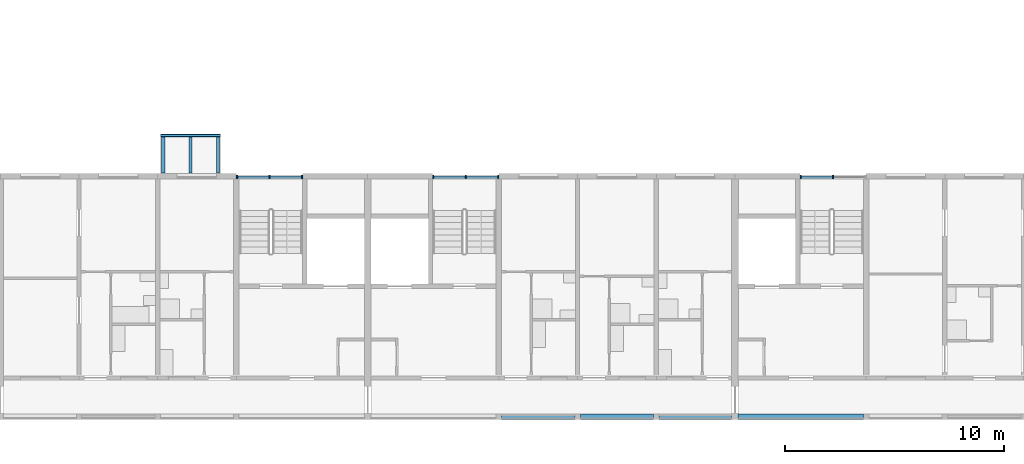
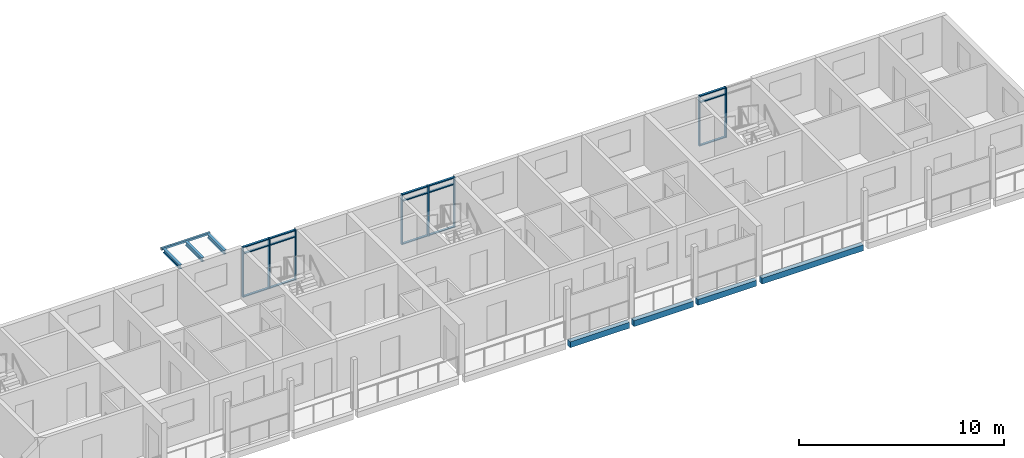
# One storey, part 17 of 78: 23 members, 8 beams, 3 elements without a shape of their own.
"""IFC4 building model written with IfcOpenShell, lengths in metres."""

from ifc_helpers import new_model, si_unit, direction, frame, origin, origin_2d, place, context, subcontext, project, spatial, rectangle, hollow_rectangle, i_section, extrude, material, material_profile, profile_set, type_object, element, aggregate, save


model = new_model("IFC4")

# Units and contexts
model_context = context("Model", 3, precision=1e-05, world=origin(), true_north=direction((0.0, 1.0)))
body_context = subcontext(model_context, "Body", "Model", "MODEL_VIEW")
ifc_project = project(units=[si_unit("LENGTHUNIT", "METRE"), si_unit("AREAUNIT", "SQUARE_METRE"), si_unit("VOLUMEUNIT", "CUBIC_METRE"), si_unit("PLANEANGLEUNIT", "RADIAN"), si_unit("MASSUNIT", "GRAM", prefix="KILO")], contexts=[model_context])

# Site, building, storey
site_placement = place(None, origin())
site = spatial("IfcSite", under=ifc_project, at=site_placement, CompositionType="ELEMENT")
building_placement = place(site_placement, origin())
building = spatial("IfcBuilding", under=site, at=building_placement, Name="Ridgestep Commons", CompositionType="ELEMENT")
storey_placement = place(building_placement, frame((0.0, 0.0, 30.0)))
storey = spatial("IfcBuildingStorey", under=building, at=storey_placement, Name="L10", CompositionType="ELEMENT", Elevation=30.0)

# Beams
ifc_material_1 = material(Name="Precast concrete C40/50", Category="concrete")
ifc_material_profile_1 = material_profile(ifc_material_1, rectangle(XDim=0.25, YDim=0.35009765625, at=origin_2d()), Name="PC 250x350")
ifc_profile_set_1 = profile_set([ifc_material_profile_1], Name="Precast concrete C40/50")
beam_type_1 = type_object("IfcBeamType", Name="Loggia edge beam 250 x 350", PredefinedType="SPANDREL", material=ifc_profile_set_1)
beam_1_placement = place(storey_placement, frame((220.125, 11.875, -0.375), z_axis=(1.0, 0.0, 0.0), x_axis=(0.0, 1.0, 0.0)))
element("IfcBeam", 1, at=beam_1_placement, inside=storey, type_object=beam_type_1, Name="Loggia edge beam D5T3 L10", PredefinedType="SPANDREL", context=body_context, shape_type="SweptSolid", body=[
    extrude(rectangle(XDim=0.25, YDim=0.35009765625, at=origin_2d()), origin(), (0.0, 0.0, 1.0), 3.35009765625),
])
beam_2_placement = place(storey_placement, frame((223.72509765625, 11.875, -0.375), z_axis=(1.0, 0.0, 0.0), x_axis=(0.0, 1.0, 0.0)))
element("IfcBeam", 2, at=beam_2_placement, inside=storey, type_object=beam_type_1, Name="Loggia edge beam D5T2 L10", PredefinedType="SPANDREL", context=body_context, shape_type="SweptSolid", body=[
    extrude(rectangle(XDim=0.25, YDim=0.35009765625, at=origin_2d()), origin(), (0.0, 0.0, 1.0), 3.349853515625),
])
beam_3_placement = place(storey_placement, frame((227.324951171875, 11.875, -0.375), z_axis=(1.0, 0.0, 0.0), x_axis=(0.0, 1.0, 0.0)))
element("IfcBeam", 3, at=beam_3_placement, inside=storey, type_object=beam_type_1, Name="Loggia edge beam D5T1 L10", PredefinedType="SPANDREL", context=body_context, shape_type="SweptSolid", body=[
    extrude(rectangle(XDim=0.25, YDim=0.35009765625, at=origin_2d()), origin(), (0.0, 0.0, 1.0), 3.324951171875),
])
beam_4_placement = place(storey_placement, frame((230.949951171875, 11.875, -0.375), z_axis=(1.0, 0.0, 0.0), x_axis=(0.0, 1.0, 0.0)))
element("IfcBeam", 4, at=beam_4_placement, inside=storey, type_object=beam_type_1, Name="Loggia edge beam D6C L10", PredefinedType="SPANDREL", context=body_context, shape_type="SweptSolid", body=[
    extrude(rectangle(XDim=0.25, YDim=0.35009765625, at=origin_2d()), origin(), (0.0, 0.0, 1.0), 5.72509765625),
])

# Curtain wall, members
ifc_material_2 = material(Name="Aluminium 6063-T6 and glass", Category="aluminium")
curtain_wall_type = type_object("IfcCurtainWallType", Name="Curtain wall stair strip", PredefinedType="NOTDEFINED", material=ifc_material_2)
curtain_wall_1_placement = place(storey_placement, origin())
curtain_wall_1 = element("IfcCurtainWall", 5, at=curtain_wall_1_placement, inside=storey, type_object=curtain_wall_type, Name="Curtain wall D4C level 10", PredefinedType="NOTDEFINED")
ifc_material_3 = material(Name="Aluminium 6063-T6", Category="aluminium")
ifc_material_profile_2 = material_profile(ifc_material_3, rectangle(XDim=0.159912109375, YDim=0.06005859375, at=origin_2d()), Name="Mullion 60 x 160")
ifc_profile_set_2 = profile_set([ifc_material_profile_2], Name="Aluminium 6063-T6")
member_type_1 = type_object("IfcMemberType", Name="Mullion 60 x 160", PredefinedType="MULLION", material=ifc_profile_set_2)
member_1_placement = place(storey_placement, frame((208.030029296875, 22.830078125, 0.0), z_axis=(0.0, 0.0, 1.0), x_axis=(0.0, 1.0, 0.0)))
member_1 = element("IfcMember", 6, at=member_1_placement, type_object=member_type_1, Name="CW1 mullion 1", PredefinedType="MULLION", context=body_context, shape_type="SweptSolid", body=[
    extrude(rectangle(XDim=0.159912109375, YDim=0.06005859375, at=origin_2d()), origin(), (0.0, 0.0, 1.0), 3.0),
])
member_2_placement = place(storey_placement, frame((209.512451171875, 22.830078125, 0.0), z_axis=(0.0, 0.0, 1.0), x_axis=(0.0, 1.0, 0.0)))
member_2 = element("IfcMember", 7, at=member_2_placement, type_object=member_type_1, Name="CW1 mullion 2", PredefinedType="MULLION", context=body_context, shape_type="SweptSolid", body=[
    extrude(rectangle(XDim=0.159912109375, YDim=0.06005859375, at=origin_2d()), origin(), (0.0, 0.0, 1.0), 3.0),
])
member_3_placement = place(storey_placement, frame((210.9951171875, 22.830078125, 0.0), z_axis=(0.0, 0.0, 1.0), x_axis=(0.0, 1.0, 0.0)))
member_3 = element("IfcMember", 8, at=member_3_placement, type_object=member_type_1, Name="CW1 mullion 3", PredefinedType="MULLION", context=body_context, shape_type="SweptSolid", body=[
    extrude(rectangle(XDim=0.159912109375, YDim=0.06005859375, at=origin_2d()), origin(), (0.0, 0.0, 1.0), 3.0),
])

curtain_wall_2_placement = place(storey_placement, origin())
curtain_wall_2 = element("IfcCurtainWall", 9, at=curtain_wall_2_placement, inside=storey, type_object=curtain_wall_type, Name="Curtain wall D5C level 10", PredefinedType="NOTDEFINED")
member_4_placement = place(storey_placement, frame((217.0048828125, 22.830078125, 0.0), z_axis=(0.0, 0.0, 1.0), x_axis=(0.0, 1.0, 0.0)))
member_4 = element("IfcMember", 10, at=member_4_placement, type_object=member_type_1, Name="CW1 mullion 1", PredefinedType="MULLION", context=body_context, shape_type="SweptSolid", body=[
    extrude(rectangle(XDim=0.159912109375, YDim=0.06005859375, at=origin_2d()), origin(), (0.0, 0.0, 1.0), 3.0),
])
member_5_placement = place(storey_placement, frame((218.487548828125, 22.830078125, 0.0), z_axis=(0.0, 0.0, 1.0), x_axis=(0.0, 1.0, 0.0)))
member_5 = element("IfcMember", 11, at=member_5_placement, type_object=member_type_1, Name="CW1 mullion 2", PredefinedType="MULLION", context=body_context, shape_type="SweptSolid", body=[
    extrude(rectangle(XDim=0.159912109375, YDim=0.06005859375, at=origin_2d()), origin(), (0.0, 0.0, 1.0), 3.0),
])
member_6_placement = place(storey_placement, frame((219.969970703125, 22.830078125, 0.0), z_axis=(0.0, 0.0, 1.0), x_axis=(0.0, 1.0, 0.0)))
member_6 = element("IfcMember", 12, at=member_6_placement, type_object=member_type_1, Name="CW1 mullion 3", PredefinedType="MULLION", context=body_context, shape_type="SweptSolid", body=[
    extrude(rectangle(XDim=0.159912109375, YDim=0.06005859375, at=origin_2d()), origin(), (0.0, 0.0, 1.0), 3.0),
])

curtain_wall_3_placement = place(storey_placement, origin())
curtain_wall_3 = element("IfcCurtainWall", 13, at=curtain_wall_3_placement, inside=storey, type_object=curtain_wall_type, Name="Curtain wall D6C level 10", PredefinedType="NOTDEFINED")
member_7_placement = place(storey_placement, frame((233.804931640625, 22.830078125, 0.0), z_axis=(0.0, 0.0, 1.0), x_axis=(0.0, 1.0, 0.0)))
member_7 = element("IfcMember", 14, at=member_7_placement, type_object=member_type_1, Name="CW1 mullion 1", PredefinedType="MULLION", context=body_context, shape_type="SweptSolid", body=[
    extrude(rectangle(XDim=0.159912109375, YDim=0.06005859375, at=origin_2d()), origin(), (0.0, 0.0, 1.0), 3.0),
])
member_8_placement = place(storey_placement, frame((235.28759765625, 22.830078125, 0.0), z_axis=(0.0, 0.0, 1.0), x_axis=(0.0, 1.0, 0.0)))
member_8 = element("IfcMember", 15, at=member_8_placement, type_object=member_type_1, Name="CW1 mullion 2", PredefinedType="MULLION", context=body_context, shape_type="SweptSolid", body=[
    extrude(rectangle(XDim=0.159912109375, YDim=0.06005859375, at=origin_2d()), origin(), (0.0, 0.0, 1.0), 3.0),
])

# Member
ifc_material_4 = material(Name="Aluminium 6063-T6", Category="aluminium")
ifc_material_profile_3 = material_profile(ifc_material_4, rectangle(XDim=0.1201171875, YDim=0.06005859375, at=origin_2d()), Name="Transom 60 x 120")
ifc_profile_set_3 = profile_set([ifc_material_profile_3], Name="Aluminium 6063-T6")
member_type_2 = type_object("IfcMemberType", Name="Transom 60 x 120", PredefinedType="USERDEFINED", material=ifc_profile_set_3)
member_9_placement = place(storey_placement, frame((208.06005859375, 22.830078125, 0.030029296875), z_axis=(1.0, 0.0, 0.0), x_axis=(0.0, 1.0, 0.0)))
member_9 = element("IfcMember", 16, at=member_9_placement, type_object=member_type_2, Name="CW1 transom 1.1", ObjectType="TRANSOM", PredefinedType="USERDEFINED", context=body_context, shape_type="SweptSolid", body=[
    extrude(rectangle(XDim=0.1201171875, YDim=0.06005859375, at=origin_2d()), origin(), (0.0, 0.0, 1.0), 1.42236328125),
])

member_10_placement = place(storey_placement, frame((208.06005859375, 22.830078125, 2.590087890625), z_axis=(1.0, 0.0, 0.0), x_axis=(0.0, 1.0, 0.0)))
member_10 = element("IfcMember", 17, at=member_10_placement, type_object=member_type_2, Name="CW1 transom 1.2", ObjectType="TRANSOM", PredefinedType="USERDEFINED", context=body_context, shape_type="SweptSolid", body=[
    extrude(rectangle(XDim=0.1201171875, YDim=0.06005859375, at=origin_2d()), origin(), (0.0, 0.0, 1.0), 1.42236328125),
])

member_11_placement = place(storey_placement, frame((208.06005859375, 22.830078125, 2.969970703125), z_axis=(1.0, 0.0, 0.0), x_axis=(0.0, 1.0, 0.0)))
member_11 = element("IfcMember", 18, at=member_11_placement, type_object=member_type_2, Name="CW1 transom 1.3", ObjectType="TRANSOM", PredefinedType="USERDEFINED", context=body_context, shape_type="SweptSolid", body=[
    extrude(rectangle(XDim=0.1201171875, YDim=0.06005859375, at=origin_2d()), origin(), (0.0, 0.0, 1.0), 1.42236328125),
])

member_12_placement = place(storey_placement, frame((209.54248046875, 22.830078125, 0.030029296875), z_axis=(1.0, 0.0, 0.0), x_axis=(0.0, 1.0, 0.0)))
member_12 = element("IfcMember", 19, at=member_12_placement, type_object=member_type_2, Name="CW1 transom 2.1", ObjectType="TRANSOM", PredefinedType="USERDEFINED", context=body_context, shape_type="SweptSolid", body=[
    extrude(rectangle(XDim=0.1201171875, YDim=0.06005859375, at=origin_2d()), origin(), (0.0, 0.0, 1.0), 1.422607421875),
])

member_13_placement = place(storey_placement, frame((209.54248046875, 22.830078125, 2.590087890625), z_axis=(1.0, 0.0, 0.0), x_axis=(0.0, 1.0, 0.0)))
member_13 = element("IfcMember", 20, at=member_13_placement, type_object=member_type_2, Name="CW1 transom 2.2", ObjectType="TRANSOM", PredefinedType="USERDEFINED", context=body_context, shape_type="SweptSolid", body=[
    extrude(rectangle(XDim=0.1201171875, YDim=0.06005859375, at=origin_2d()), origin(), (0.0, 0.0, 1.0), 1.422607421875),
])

member_14_placement = place(storey_placement, frame((209.54248046875, 22.830078125, 2.969970703125), z_axis=(1.0, 0.0, 0.0), x_axis=(0.0, 1.0, 0.0)))
member_14 = element("IfcMember", 21, at=member_14_placement, type_object=member_type_2, Name="CW1 transom 2.3", ObjectType="TRANSOM", PredefinedType="USERDEFINED", context=body_context, shape_type="SweptSolid", body=[
    extrude(rectangle(XDim=0.1201171875, YDim=0.06005859375, at=origin_2d()), origin(), (0.0, 0.0, 1.0), 1.422607421875),
])

aggregate(curtain_wall_1, [member_1, member_2, member_3, member_9, member_10, member_11, member_12, member_13, member_14])

member_15_placement = place(storey_placement, frame((217.034912109375, 22.830078125, 0.030029296875), z_axis=(1.0, 0.0, 0.0), x_axis=(0.0, 1.0, 0.0)))
member_15 = element("IfcMember", 22, at=member_15_placement, type_object=member_type_2, Name="CW1 transom 1.1", ObjectType="TRANSOM", PredefinedType="USERDEFINED", context=body_context, shape_type="SweptSolid", body=[
    extrude(rectangle(XDim=0.1201171875, YDim=0.06005859375, at=origin_2d()), origin(), (0.0, 0.0, 1.0), 1.422607421875),
])

member_16_placement = place(storey_placement, frame((217.034912109375, 22.830078125, 2.590087890625), z_axis=(1.0, 0.0, 0.0), x_axis=(0.0, 1.0, 0.0)))
member_16 = element("IfcMember", 23, at=member_16_placement, type_object=member_type_2, Name="CW1 transom 1.2", ObjectType="TRANSOM", PredefinedType="USERDEFINED", context=body_context, shape_type="SweptSolid", body=[
    extrude(rectangle(XDim=0.1201171875, YDim=0.06005859375, at=origin_2d()), origin(), (0.0, 0.0, 1.0), 1.422607421875),
])

member_17_placement = place(storey_placement, frame((217.034912109375, 22.830078125, 2.969970703125), z_axis=(1.0, 0.0, 0.0), x_axis=(0.0, 1.0, 0.0)))
member_17 = element("IfcMember", 24, at=member_17_placement, type_object=member_type_2, Name="CW1 transom 1.3", ObjectType="TRANSOM", PredefinedType="USERDEFINED", context=body_context, shape_type="SweptSolid", body=[
    extrude(rectangle(XDim=0.1201171875, YDim=0.06005859375, at=origin_2d()), origin(), (0.0, 0.0, 1.0), 1.422607421875),
])

member_18_placement = place(storey_placement, frame((218.517578125, 22.830078125, 0.030029296875), z_axis=(1.0, 0.0, 0.0), x_axis=(0.0, 1.0, 0.0)))
member_18 = element("IfcMember", 25, at=member_18_placement, type_object=member_type_2, Name="CW1 transom 2.1", ObjectType="TRANSOM", PredefinedType="USERDEFINED", context=body_context, shape_type="SweptSolid", body=[
    extrude(rectangle(XDim=0.1201171875, YDim=0.06005859375, at=origin_2d()), origin(), (0.0, 0.0, 1.0), 1.42236328125),
])

member_19_placement = place(storey_placement, frame((218.517578125, 22.830078125, 2.590087890625), z_axis=(1.0, 0.0, 0.0), x_axis=(0.0, 1.0, 0.0)))
member_19 = element("IfcMember", 26, at=member_19_placement, type_object=member_type_2, Name="CW1 transom 2.2", ObjectType="TRANSOM", PredefinedType="USERDEFINED", context=body_context, shape_type="SweptSolid", body=[
    extrude(rectangle(XDim=0.1201171875, YDim=0.06005859375, at=origin_2d()), origin(), (0.0, 0.0, 1.0), 1.42236328125),
])

member_20_placement = place(storey_placement, frame((218.517578125, 22.830078125, 2.969970703125), z_axis=(1.0, 0.0, 0.0), x_axis=(0.0, 1.0, 0.0)))
member_20 = element("IfcMember", 27, at=member_20_placement, type_object=member_type_2, Name="CW1 transom 2.3", ObjectType="TRANSOM", PredefinedType="USERDEFINED", context=body_context, shape_type="SweptSolid", body=[
    extrude(rectangle(XDim=0.1201171875, YDim=0.06005859375, at=origin_2d()), origin(), (0.0, 0.0, 1.0), 1.42236328125),
])

aggregate(curtain_wall_2, [member_4, member_5, member_6, member_15, member_16, member_17, member_18, member_19, member_20])

member_21_placement = place(storey_placement, frame((233.8349609375, 22.830078125, 0.030029296875), z_axis=(1.0, 0.0, 0.0), x_axis=(0.0, 1.0, 0.0)))
member_21 = element("IfcMember", 28, at=member_21_placement, type_object=member_type_2, Name="CW1 transom 1.1", ObjectType="TRANSOM", PredefinedType="USERDEFINED", context=body_context, shape_type="SweptSolid", body=[
    extrude(rectangle(XDim=0.1201171875, YDim=0.06005859375, at=origin_2d()), origin(), (0.0, 0.0, 1.0), 1.422607421875),
])

member_22_placement = place(storey_placement, frame((233.8349609375, 22.830078125, 2.590087890625), z_axis=(1.0, 0.0, 0.0), x_axis=(0.0, 1.0, 0.0)))
member_22 = element("IfcMember", 29, at=member_22_placement, type_object=member_type_2, Name="CW1 transom 1.2", ObjectType="TRANSOM", PredefinedType="USERDEFINED", context=body_context, shape_type="SweptSolid", body=[
    extrude(rectangle(XDim=0.1201171875, YDim=0.06005859375, at=origin_2d()), origin(), (0.0, 0.0, 1.0), 1.422607421875),
])

member_23_placement = place(storey_placement, frame((233.8349609375, 22.830078125, 2.969970703125), z_axis=(1.0, 0.0, 0.0), x_axis=(0.0, 1.0, 0.0)))
member_23 = element("IfcMember", 30, at=member_23_placement, type_object=member_type_2, Name="CW1 transom 1.3", ObjectType="TRANSOM", PredefinedType="USERDEFINED", context=body_context, shape_type="SweptSolid", body=[
    extrude(rectangle(XDim=0.1201171875, YDim=0.06005859375, at=origin_2d()), origin(), (0.0, 0.0, 1.0), 1.422607421875),
])

aggregate(curtain_wall_3, [member_7, member_8, member_21, member_22, member_23])

# Beams
ifc_material_5 = material(Name="Weathering steel S355J2W", Category="steel")
ifc_material_profile_4 = material_profile(ifc_material_5, i_section(OverallWidth=0.14599609375, OverallDepth=0.25146484375, WebThickness=0.006103515625, FlangeThickness=0.008544921875, FilletRadius=0.007568359375, at=origin_2d()), Name="UB 254x146x31")
ifc_profile_set_4 = profile_set([ifc_material_profile_4], Name="Weathering steel S355J2W")
beam_type_2 = type_object("IfcBeamType", Name="Tray arm UB 254x146x31", PredefinedType="BEAM", material=ifc_profile_set_4)
for number, where, z_axis, x_axis, name in (
    (31, (204.64990234375, 23.014892578125, 2.8642578125), (0.0, 1.0, 0.0), (-1.0, 0.0, 0.0), "Tray arm D4T3-11.1"),
    (32, (205.89990234375, 23.014892578125, 2.8642578125), (0.0, 1.0, 0.0), (-1.0, 0.0, 0.0), "Tray arm D4T3-11.2"),
    (33, (207.14990234375, 23.014892578125, 2.8642578125), (0.0, 1.0, 0.0), (-1.0, 0.0, 0.0), "Tray arm D4T3-11.3"),
):
    element("IfcBeam", number, at=place(storey_placement, frame(where, z_axis=z_axis, x_axis=x_axis)), inside=storey, type_object=beam_type_2, Name=name, PredefinedType="BEAM", context=body_context, shape_type="SweptSolid", body=[
        extrude(i_section(OverallWidth=0.14599609375, OverallDepth=0.25146484375, WebThickness=0.006103515625, FlangeThickness=0.008544921875, FilletRadius=0.007568359375, at=origin_2d()), origin(), (0.0, 0.0, 1.0), 1.6650390625),
    ])
ifc_material_6 = material(Name="Weathering steel S355J2W", Category="steel")
ifc_material_profile_5 = material_profile(ifc_material_6, hollow_rectangle(XDim=0.1201171875, YDim=0.1201171875, WallThickness=0.00634765625, InnerFilletRadius=0.00634765625, OuterFilletRadius=0.009521484375, at=origin_2d()), Name="SHS 120x120x6.3")
ifc_profile_set_5 = profile_set([ifc_material_profile_5], Name="Weathering steel S355J2W")
beam_type_3 = type_object("IfcBeamType", Name="Tray edge member SHS 120x120x6.3", PredefinedType="BEAM", material=ifc_profile_set_5)
beam_5_placement = place(storey_placement, frame((204.530029296875, 24.739990234375, 2.929931640625), z_axis=(1.0, 0.0, 0.0), x_axis=(0.0, 0.0, 1.0)))
element("IfcBeam", 34, at=beam_5_placement, inside=storey, type_object=beam_type_3, Name="Tray edge member D4T3-11", PredefinedType="BEAM", context=body_context, shape_type="SweptSolid", body=[
    extrude(hollow_rectangle(XDim=0.1201171875, YDim=0.1201171875, WallThickness=0.00634765625, InnerFilletRadius=0.00634765625, OuterFilletRadius=0.009521484375, at=origin_2d()), origin(), (0.0, 0.0, 1.0), 2.739990234375),
])

save(model, "model.ifc")
